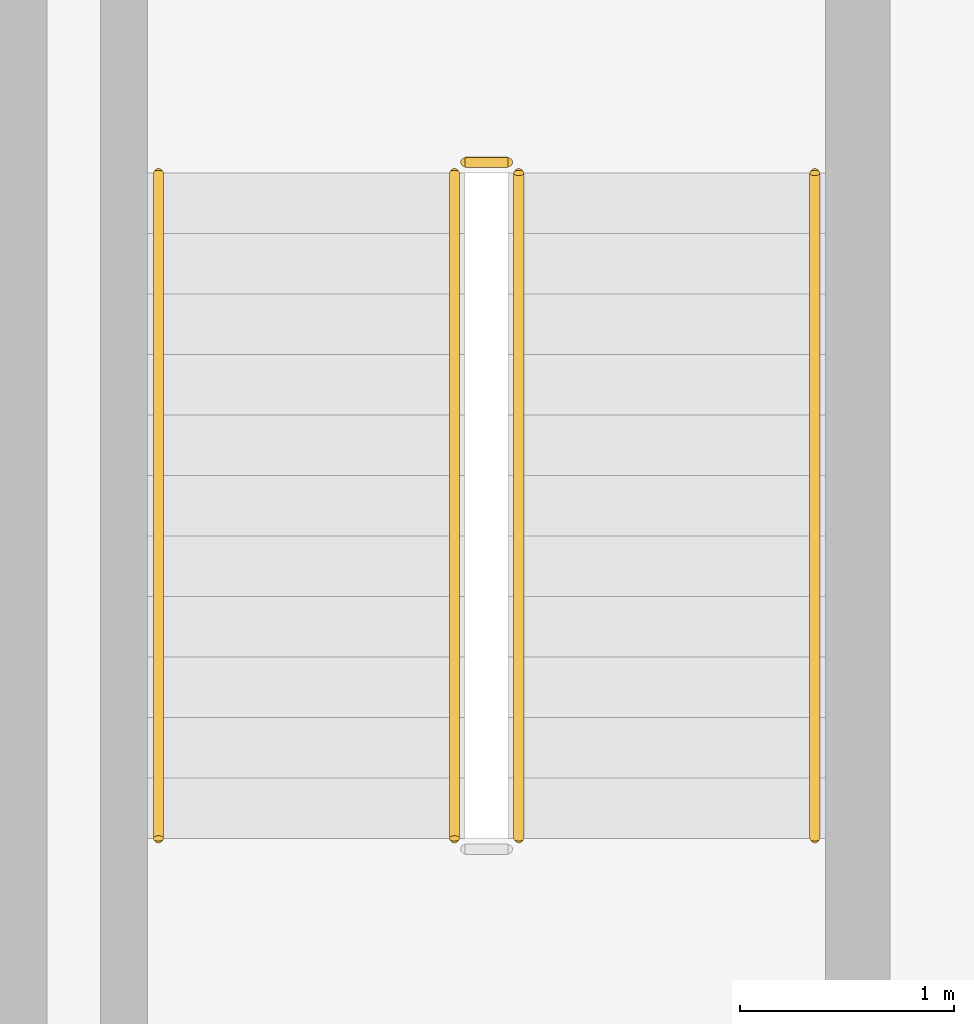
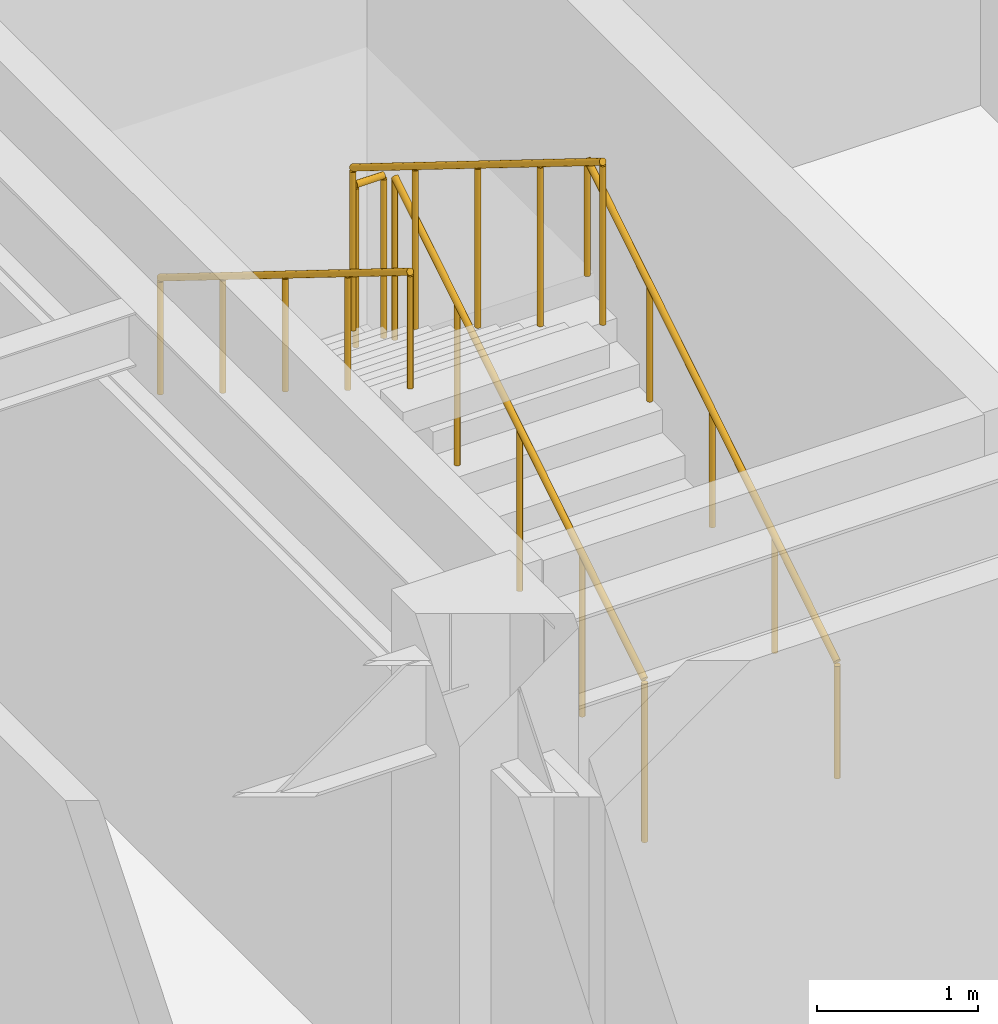
# One storey, part 13 of 13: 5 railings.
"""IFC4 building model written with IfcOpenShell, lengths in metres."""

from ifc_helpers import new_model, si_unit, direction, frame, origin, origin_2d, place, context, subcontext, project, spatial, circle, extrude, material, type_object, element, save


model = new_model("IFC4")

# Units and contexts
model_context = context("Model", 3, precision=1e-05, world=origin(), true_north=direction((0.0, 1.0)))
body_context = subcontext(model_context, "Body", "Model", "MODEL_VIEW")
ifc_project = project(units=[si_unit("LENGTHUNIT", "METRE"), si_unit("AREAUNIT", "SQUARE_METRE"), si_unit("VOLUMEUNIT", "CUBIC_METRE"), si_unit("PLANEANGLEUNIT", "RADIAN"), si_unit("MASSUNIT", "GRAM", prefix="KILO")], contexts=[model_context])

# Site, building, storey
site_placement = place(None, origin())
site = spatial("IfcSite", under=ifc_project, at=site_placement, CompositionType="ELEMENT")
building_placement = place(site_placement, origin())
building = spatial("IfcBuilding", under=site, at=building_placement, Name="Ochreholt Gables", CompositionType="ELEMENT")
storey_placement = place(building_placement, frame((0.0, 0.0, 60.0)))
storey = spatial("IfcBuildingStorey", under=building, at=storey_placement, Name="L15", CompositionType="ELEMENT", Elevation=60.0)

# Railings
ifc_material_1 = material(Name="Painted Steel Stair Guardrail", Category="steel")
railing_type_1 = type_object("IfcRailingType", Name="RL-ST-GUARD", PredefinedType="GUARDRAIL", material=ifc_material_1)
railing_1_placement = place(storey_placement, frame((26.64990234375, 32.4599609375, 0.175048828125)))
element("IfcRailing", 1, at=railing_1_placement, inside=storey, type_object=railing_type_1, Name="L15 ST-2 stair guard 1", PredefinedType="GUARDRAIL", context=body_context, shape_type="SweptSolid", body=[
    extrude(circle(Radius=0.02392578125, at=origin_2d()), frame((0.0, 0.0, 1.22607421875), z_axis=(0.0, 0.849684591916, 0.527291280281), x_axis=(-1.0, 0.0, 0.0)), (0.0, 0.0, 1.0), 3.65087890625),
    extrude(circle(Radius=0.02099609375, at=origin_2d()), origin(), (0.0, 0.0, 1.0), 1.201904296875),
    extrude(circle(Radius=0.02099609375, at=origin_2d()), frame((0.0, 0.775390625, 0.481201171875)), (0.0, 0.0, 1.0), 1.201904296875),
    extrude(circle(Radius=0.02099609375, at=origin_2d()), frame((0.0, 1.551025390625, 0.96240234375)), (0.0, 0.0, 1.0), 1.201904296875),
    extrude(circle(Radius=0.02099609375, at=origin_2d()), frame((0.0, 2.32666015625, 1.44384765625)), (0.0, 0.0, 1.0), 1.201904296875),
    extrude(circle(Radius=0.02099609375, at=origin_2d()), frame((0.0, 3.10205078125, 1.925048828125)), (0.0, 0.0, 1.0), 1.201904296875),
])
railing_2_placement = place(storey_placement, frame((26.60009765625, 35.612060546875, 2.10009765625)))
element("IfcRailing", 2, at=railing_2_placement, inside=storey, type_object=railing_type_1, Name="L15 ST-2 stair guard 2", PredefinedType="GUARDRAIL", context=body_context, shape_type="SweptSolid", body=[
    extrude(circle(Radius=0.02392578125, at=origin_2d()), frame((0.0, 0.0, 1.22607421875), z_axis=(-1.0, 0.0, 0.0), x_axis=(0.0, -1.0, 0.0)), (0.0, 0.0, 1.0), 0.2001953125),
    extrude(circle(Radius=0.02099609375, at=origin_2d()), origin(), (0.0, 0.0, 1.0), 1.201904296875),
    extrude(circle(Radius=0.02099609375, at=origin_2d()), frame((-0.2001953125, 0.0, 0.0)), (0.0, 0.0, 1.0), 1.201904296875),
])
railing_3_placement = place(storey_placement, frame((26.35009765625, 35.56201171875, 2.27490234375)))
element("IfcRailing", 3, at=railing_3_placement, inside=storey, type_object=railing_type_1, Name="L15 ST-2 stair guard 3", PredefinedType="GUARDRAIL", context=body_context, shape_type="SweptSolid", body=[
    extrude(circle(Radius=0.02392578125, at=origin_2d()), frame((0.0, 0.0, 1.22607421875), z_axis=(0.0, -0.849684591916, 0.527291280281), x_axis=(1.0, 0.0, 0.0)), (0.0, 0.0, 1.0), 3.65087890625),
    extrude(circle(Radius=0.02099609375, at=origin_2d()), origin(), (0.0, 0.0, 1.0), 1.201904296875),
    extrude(circle(Radius=0.02099609375, at=origin_2d()), frame((0.0, -0.775390625, 0.481201171875)), (0.0, 0.0, 1.0), 1.201904296875),
    extrude(circle(Radius=0.02099609375, at=origin_2d()), frame((0.0, -1.551025390625, 0.96240234375)), (0.0, 0.0, 1.0), 1.201904296875),
    extrude(circle(Radius=0.02099609375, at=origin_2d()), frame((0.0, -2.32666015625, 1.44384765625)), (0.0, 0.0, 1.0), 1.201904296875),
    extrude(circle(Radius=0.02099609375, at=origin_2d()), frame((0.0, -3.10205078125, 1.925048828125)), (0.0, 0.0, 1.0), 1.201904296875),
])
ifc_material_2 = material(Name="Brushed Stainless Steel Wall Handrail", Category="steel")
railing_type_2 = type_object("IfcRailingType", Name="RL-ST-HAND", PredefinedType="HANDRAIL", material=ifc_material_2)
railing_4_placement = place(storey_placement, frame((28.030029296875, 32.4599609375, 0.175048828125)))
element("IfcRailing", 4, at=railing_4_placement, inside=storey, type_object=railing_type_2, Name="L15 ST-2 stair handrail 1", PredefinedType="HANDRAIL", context=body_context, shape_type="SweptSolid", body=[
    extrude(circle(Radius=0.02392578125, at=origin_2d()), frame((0.0, 0.0, 0.8759765625), z_axis=(0.0, 0.849684591916, 0.527291280281), x_axis=(-1.0, 0.0, 0.0)), (0.0, 0.0, 1.0), 3.65087890625),
    extrude(circle(Radius=0.02099609375, at=origin_2d()), origin(), (0.0, 0.0, 1.0), 0.851806640625),
    extrude(circle(Radius=0.02099609375, at=origin_2d()), frame((0.0, 0.775390625, 0.481201171875)), (0.0, 0.0, 1.0), 0.851806640625),
    extrude(circle(Radius=0.02099609375, at=origin_2d()), frame((0.0, 1.551025390625, 0.96240234375)), (0.0, 0.0, 1.0), 0.851806640625),
    extrude(circle(Radius=0.02099609375, at=origin_2d()), frame((0.0, 2.32666015625, 1.44384765625)), (0.0, 0.0, 1.0), 0.851806640625),
    extrude(circle(Radius=0.02099609375, at=origin_2d()), frame((0.0, 3.10205078125, 1.925048828125)), (0.0, 0.0, 1.0), 0.851806640625),
])
railing_5_placement = place(storey_placement, frame((24.969970703125, 35.56201171875, 2.27490234375)))
element("IfcRailing", 5, at=railing_5_placement, inside=storey, type_object=railing_type_2, Name="L15 ST-2 stair handrail 2", PredefinedType="HANDRAIL", context=body_context, shape_type="SweptSolid", body=[
    extrude(circle(Radius=0.02392578125, at=origin_2d()), frame((0.0, 0.0, 0.8759765625), z_axis=(0.0, -0.849684591916, 0.527291280281), x_axis=(1.0, 0.0, 0.0)), (0.0, 0.0, 1.0), 3.65087890625),
    extrude(circle(Radius=0.02099609375, at=origin_2d()), origin(), (0.0, 0.0, 1.0), 0.851806640625),
    extrude(circle(Radius=0.02099609375, at=origin_2d()), frame((0.0, -0.775390625, 0.481201171875)), (0.0, 0.0, 1.0), 0.851806640625),
    extrude(circle(Radius=0.02099609375, at=origin_2d()), frame((0.0, -1.551025390625, 0.96240234375)), (0.0, 0.0, 1.0), 0.851806640625),
    extrude(circle(Radius=0.02099609375, at=origin_2d()), frame((0.0, -2.32666015625, 1.44384765625)), (0.0, 0.0, 1.0), 0.851806640625),
    extrude(circle(Radius=0.02099609375, at=origin_2d()), frame((0.0, -3.10205078125, 1.925048828125)), (0.0, 0.0, 1.0), 0.851806640625),
])

save(model, "model.ifc")
